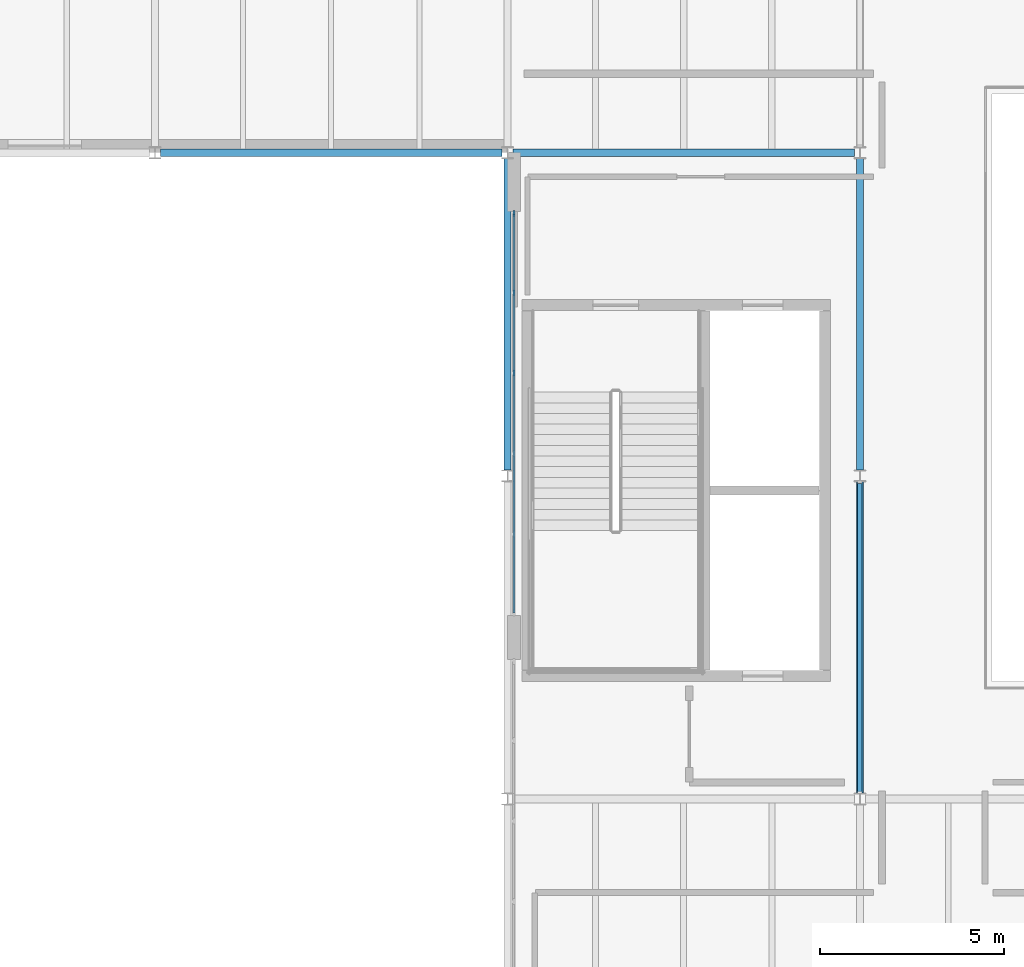
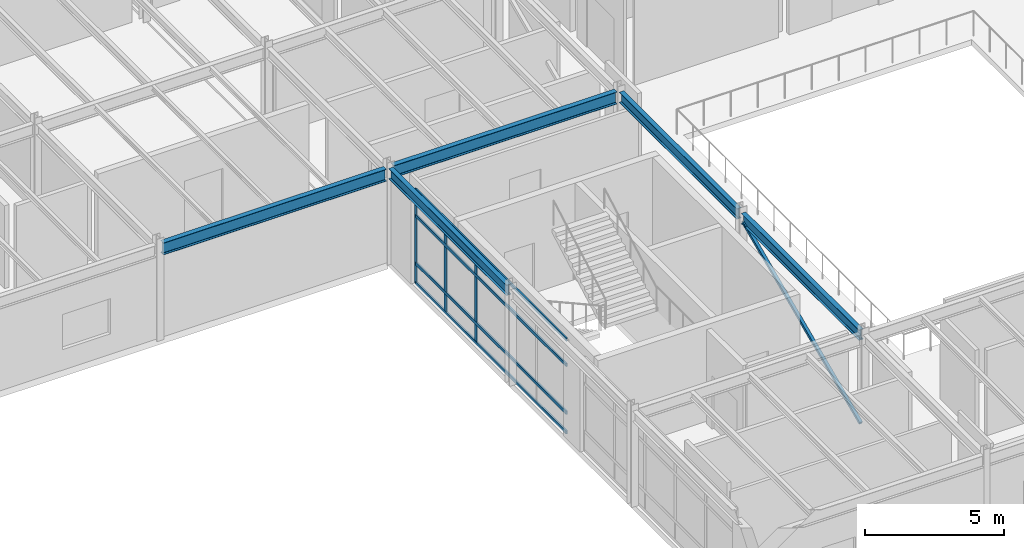
# One storey, part 21 of 69: 8 members, 5 beams, 1 element without a shape of its own.
"""IFC4 building model written with IfcOpenShell, lengths in metres."""

import ifcopenshell
import ifcopenshell.guid

model = None  # the IFC model being written
_history = None  # IfcOwnerHistory: only IFC2X3 demands one
_inside = {}  # id of a spatial element -> (the spatial element, [elements in it])
_under = {}  # id of a project, library or spatial element -> (it, [spatial elements below it])
_declared = {}  # id of a project -> (the project, [libraries it declares])
_typed = {}  # id of a type object -> (the type object, [elements of that type])
_made_of = {}  # id of a material, layer set ... -> (it, [elements and type objects made of it])


def new_model(schema):
    """Start an empty IFC model of exactly this schema.

    Asked for "IFC4X3", IfcOpenShell would pick the latest addendum, in which some entities
    have other attributes; the version numbers below select the first issue.
    IFC2X3 requires an IfcOwnerHistory on every rooted entity: one is made here for all.
    """
    global model, _history
    if schema == "IFC4X3":
        model = ifcopenshell.file(schema_version=(4, 3, 0, 0))
    else:
        model = ifcopenshell.file(schema=schema)
    _inside.clear()
    _under.clear()
    _declared.clear()
    _typed.clear()
    _made_of.clear()
    _history = None
    if model.schema == "IFC2X3":
        org = make("IfcOrganization", Name="unknown")
        user = make(
            "IfcPersonAndOrganization",
            ThePerson=make("IfcPerson", FamilyName="unknown"),
            TheOrganization=org,
        )
        app = make(
            "IfcApplication",
            ApplicationDeveloper=org,
            Version="unknown",
            ApplicationFullName="unknown",
            ApplicationIdentifier="unknown",
        )
        _history = make(
            "IfcOwnerHistory",
            OwningUser=user,
            OwningApplication=app,
            ChangeAction="ADDED",
            CreationDate=0,
        )
    return model


def make(cls, **values):
    """One entity of the class cls with the attributes given. An attribute that is None is left unset."""
    return model.create_entity(
        cls, **{name: value for name, value in values.items() if value is not None}
    )


def rooted(cls, **values):
    """An entity with a GlobalId (a new one), such as an element, a storey or a relation."""
    return make(cls, GlobalId=ifcopenshell.guid.new(), OwnerHistory=_history, **values)


def si_unit(unit_type, name, prefix=None):
    """IfcSIUnit, for example si_unit("LENGTHUNIT", "METRE", prefix="MILLI")."""
    return make("IfcSIUnit", UnitType=unit_type, Prefix=prefix, Name=name)


def assignment(units):
    """IfcUnitAssignment: the units of a project."""
    return None if units is None else make("IfcUnitAssignment", Units=units)


def point(xyz):
    """IfcCartesianPoint."""
    return None if xyz is None else make("IfcCartesianPoint", Coordinates=xyz)


def direction(xyz):
    """IfcDirection."""
    return None if xyz is None else make("IfcDirection", DirectionRatios=xyz)


def frame(location, z_axis=None, x_axis=None):
    """IfcAxis2Placement3D, a coordinate frame: its origin and axes. An axis left out is left unset."""
    return make(
        "IfcAxis2Placement3D",
        Location=point(location),
        Axis=direction(z_axis),
        RefDirection=direction(x_axis),
    )


def frame_2d(location, x_axis=None):
    """IfcAxis2Placement2D, a coordinate frame in the plane: its origin and x axis."""
    return make(
        "IfcAxis2Placement2D", Location=point(location), RefDirection=direction(x_axis)
    )


def origin():
    """The frame at (0, 0, 0) with its axes left unset."""
    return frame((0.0, 0.0, 0.0))


def origin_2d():
    """The frame at (0, 0) in the plane with its x axis left unset."""
    return frame_2d((0.0, 0.0))


def place(relative_to, where):
    """IfcLocalPlacement: puts the frame where relative to a parent placement (None: the world)."""
    return make(
        "IfcLocalPlacement", PlacementRelTo=relative_to, RelativePlacement=where
    )


def context(
    kind, dimensions, precision=None, world=None, true_north=None, identifier=None
):
    """IfcGeometricRepresentationContext, for example the 3D "Model" context."""
    return make(
        "IfcGeometricRepresentationContext",
        ContextIdentifier=identifier,
        ContextType=kind,
        CoordinateSpaceDimension=dimensions,
        Precision=precision,
        WorldCoordinateSystem=world,
        TrueNorth=true_north,
    )


def subcontext(parent, identifier, kind, view, scale=None):
    """IfcGeometricRepresentationSubContext, for example "Body" below "Model"."""
    return make(
        "IfcGeometricRepresentationSubContext",
        ContextIdentifier=identifier,
        ContextType=kind,
        ParentContext=parent,
        TargetScale=scale,
        TargetView=view,
    )


def project(units=None, contexts=None):
    """IfcProject with its units and contexts."""
    return rooted(
        "IfcProject",
        Name="project",
        RepresentationContexts=contexts,
        UnitsInContext=assignment(units),
    )


def spatial(cls, under=None, at=None, **own):
    """A site, building, storey or space (cls), placed at a placement, below another one or the project."""
    s = rooted(cls, ObjectPlacement=at, **own)
    if under is not None:
        _under.setdefault(under.id(), (under, []))[1].append(s)
    return s


def profile(cls, at=None, kind="AREA", **sizes):
    """A parametric profile (cls). Its sizes go by their IFC names, for example OverallWidth=200.0."""
    return make(cls, ProfileType=kind, Position=at, **sizes)


def rectangle(**sizes):
    """IfcRectangleProfileDef."""
    return profile("IfcRectangleProfileDef", **sizes)


def hollow_rectangle(**sizes):
    """IfcRectangleHollowProfileDef."""
    return profile("IfcRectangleHollowProfileDef", **sizes)


def i_section(**sizes):
    """IfcIShapeProfileDef."""
    return profile("IfcIShapeProfileDef", **sizes)


def extrude(swept, where, along, depth):
    """IfcExtrudedAreaSolid: the profile swept, set in the frame where, extruded along a direction by depth."""
    return make(
        "IfcExtrudedAreaSolid",
        SweptArea=swept,
        Position=where,
        ExtrudedDirection=direction(along),
        Depth=depth,
    )


def shape(context_of_items, identifier, shape_type, items):
    """IfcShapeRepresentation: the items that make up one representation, for example the "Body"."""
    return make(
        "IfcShapeRepresentation",
        ContextOfItems=context_of_items,
        RepresentationIdentifier=identifier,
        RepresentationType=shape_type,
        Items=items,
    )


def material(Name=None, Category=None):
    """IfcMaterial."""
    return make("IfcMaterial", Name=Name, Category=Category)


def material_profile(
    of_material, cross_section, Name=None, Category=None, Priority=None
):
    """IfcMaterialProfile: a cross section and its material."""
    return make(
        "IfcMaterialProfile",
        Name=Name,
        Material=of_material,
        Profile=cross_section,
        Priority=Priority,
        Category=Category,
    )


def profile_set(profiles, Name=None, composite=None):
    """IfcMaterialProfileSet."""
    return make(
        "IfcMaterialProfileSet",
        Name=Name,
        MaterialProfiles=profiles,
        CompositeProfile=composite,
    )


def made_of(thing, what):
    """Note that an element or type object is made of a material, layer set ...; save() writes the relation."""
    if what is not None:
        _made_of.setdefault(what.id(), (what, []))[1].append(thing)
    return thing


def type_object(cls, material=None, **own):
    """A type object (cls), such as IfcWallType, which elements share."""
    return made_of(rooted(cls, **own), material)


def element(
    cls,
    number,
    at=None,
    inside=None,
    cuts=None,
    type_object=None,
    material=None,
    context=None,
    identifier="Body",
    shape_type=None,
    held_by="IfcProductDefinitionShape",
    body=None,
    shapes=None,
    **own,
):
    """One element of the class cls, such as IfcWall. Its Tag is "e" and its number.

    at: its placement. inside: the storey or other place that contains it. cuts: it is an
    opening in that element (IfcRelVoidsElement). A single representation is given by context,
    identifier, shape_type and body (its items); several are given by shapes. held_by: the class
    of the entity that holds the representations. save() writes the other relations.
    """
    e = rooted(cls, Tag="e%d" % number, ObjectPlacement=at, **own)
    if body is not None:
        shapes = [shape(context, identifier, shape_type, body)]
    if shapes is not None:
        e.Representation = make(held_by, Representations=shapes)
    if inside is not None:
        _inside.setdefault(inside.id(), (inside, []))[1].append(e)
    if cuts is not None:
        rooted(
            "IfcRelVoidsElement", RelatingBuildingElement=cuts, RelatedOpeningElement=e
        )
    if type_object is not None:
        _typed.setdefault(type_object.id(), (type_object, []))[1].append(e)
    return made_of(e, material)


def aggregate(whole, parts):
    """IfcRelAggregates: a whole, such as a stair, and the parts it consists of."""
    return rooted("IfcRelAggregates", RelatingObject=whole, RelatedObjects=parts)


def save(model, path):
    """Write the relations noted so far, then the file.

    IfcRelAggregates (storeys below a building ...), IfcRelContainedInSpatialStructure (elements
    in a storey), IfcRelDefinesByType, IfcRelAssociatesMaterial and IfcRelDeclares: one each for
    every whole, place, type object, material and project.
    """
    for whole, parts in _under.values():
        aggregate(whole, parts)
    for where, things in _inside.values():
        rooted(
            "IfcRelContainedInSpatialStructure",
            RelatedElements=things,
            RelatingStructure=where,
        )
    for kind, things in _typed.values():
        rooted("IfcRelDefinesByType", RelatedObjects=things, RelatingType=kind)
    for what, things in _made_of.values():
        rooted("IfcRelAssociatesMaterial", RelatedObjects=things, RelatingMaterial=what)
    for by, libraries in _declared.values():
        rooted("IfcRelDeclares", RelatingContext=by, RelatedDefinitions=libraries)
    model.write(path)


model = new_model("IFC4")

# Units and contexts
model_context = context("Model", 3, precision=1e-05, world=origin(), true_north=direction((0.0, 1.0)))
body_context = subcontext(model_context, "Body", "Model", "MODEL_VIEW")
ifc_project = project(units=[si_unit("LENGTHUNIT", "METRE"), si_unit("AREAUNIT", "SQUARE_METRE"), si_unit("VOLUMEUNIT", "CUBIC_METRE"), si_unit("PLANEANGLEUNIT", "RADIAN"), si_unit("MASSUNIT", "GRAM", prefix="KILO")], contexts=[model_context])

# Site, building, storey
site_placement = place(None, origin())
site = spatial("IfcSite", under=ifc_project, at=site_placement, CompositionType="ELEMENT")
building_placement = place(site_placement, origin())
building = spatial("IfcBuilding", under=site, at=building_placement, Name="Sarnbrook Museum", CompositionType="ELEMENT")
storey_placement = place(building_placement, frame((0.0, 0.0, 14.60009765625)))
storey = spatial("IfcBuildingStorey", under=building, at=storey_placement, Name="L03", CompositionType="ELEMENT", Elevation=14.60009765625)

# Beams
ifc_material_1 = material(Name="Structural Steel Grade 300PLUS (AS/NZS 3679.1, fy = 280 MPa for 17 < t <= 40 mm, 300 MPa for t <= 17 mm)", Category="steel")
ifc_material_profile_1 = material_profile(ifc_material_1, i_section(OverallWidth=0.18994140625, OverallDepth=0.45703125, WebThickness=0.009033203125, FlangeThickness=0.014404296875, FilletRadius=0.011474609375, at=origin_2d()), Name="460UB74.6")
ifc_profile_set_1 = profile_set([ifc_material_profile_1], Name="Structural Steel Grade 300PLUS (AS/NZS 3679.1, fy = 280 MPa for 17 < t <= 40 mm, 300 MPa for t <= 17 mm)")
beam_type_1 = type_object("IfcBeamType", Name="BM-UB460", PredefinedType="BEAM", material=ifc_profile_set_1)
for number, where, z_axis, x_axis, name in (
    (1, (80.800048828125, 65.757568359375, 4.021484375), (0.0, 1.0, 0.0), (-1.0, 0.0, 0.0), "Girder 9:H-J L03"),
    (2, (90.39990234375, 56.95751953125, 4.021484375), (0.0, 1.0, 0.0), (-1.0, 0.0, 0.0), "Girder 10:G-H L03"),
    (3, (90.39990234375, 65.757568359375, 4.021484375), (0.0, 1.0, 0.0), (-1.0, 0.0, 0.0), "Girder 10:H-J L03"),
):
    element("IfcBeam", number, at=place(storey_placement, frame(where, z_axis=z_axis, x_axis=x_axis)), inside=storey, type_object=beam_type_1, Name=name, PredefinedType="BEAM", context=body_context, shape_type="SweptSolid", body=[
        extrude(i_section(OverallWidth=0.18994140625, OverallDepth=0.45703125, WebThickness=0.009033203125, FlangeThickness=0.014404296875, FilletRadius=0.011474609375, at=origin_2d()), origin(), (0.0, 0.0, 1.0), 8.48486328125),
    ])
ifc_material_profile_2 = material_profile(ifc_material_1, i_section(OverallWidth=0.208984375, OverallDepth=0.532958984375, WebThickness=0.01025390625, FlangeThickness=0.015625, FilletRadius=0.013916015625, at=origin_2d()), Name="530UB92.4")
ifc_profile_set_2 = profile_set([ifc_material_profile_2], Name="Structural Steel Grade 300PLUS (AS/NZS 3679.1, fy = 280 MPa for 17 < t <= 40 mm, 300 MPa for t <= 17 mm)")
beam_type_2 = type_object("IfcBeamType", Name="BM-UB530", PredefinedType="BEAM", material=ifc_profile_set_2)
for number, where, z_axis, x_axis, name in (
    (4, (71.353515625, 74.39990234375, 3.943359375), (1.0, 0.0, 0.0), (0.0, 1.0, 0.0), "Girder J:8-9 L03"),
    (5, (80.95361328125, 74.39990234375, 3.9833984375), (1.0, 0.0, 0.0), (0.0, 1.0, 0.0), "Girder J:9-10 L03"),
):
    element("IfcBeam", number, at=place(storey_placement, frame(where, z_axis=z_axis, x_axis=x_axis)), inside=storey, type_object=beam_type_2, Name=name, PredefinedType="BEAM", context=body_context, shape_type="SweptSolid", body=[
        extrude(i_section(OverallWidth=0.208984375, OverallDepth=0.532958984375, WebThickness=0.01025390625, FlangeThickness=0.015625, FilletRadius=0.013916015625, at=origin_2d()), origin(), (0.0, 0.0, 1.0), 9.29296875),
    ])

# Curtain wall, members
ifc_material_2 = material(Name="Thermally Broken Anodised Aluminium 6063-T6", Category="aluminium")
curtain_wall_type = type_object("IfcCurtainWallType", Name="CurtainWall_GalleryRibbon", PredefinedType="NOTDEFINED", material=ifc_material_2)
curtain_wall_placement = place(storey_placement, origin())
curtain_wall = element("IfcCurtainWall", 6, at=curtain_wall_placement, inside=storey, type_object=curtain_wall_type, Name="Gallery Ribbon Curtain Wall L03-2.1", PredefinedType="NOTDEFINED")
ifc_material_profile_3 = material_profile(ifc_material_2, rectangle(XDim=0.06005859375, YDim=0.159912109375, at=origin_2d()), Name="ALU MULLION 60x160")
ifc_profile_set_3 = profile_set([ifc_material_profile_3], Name="Thermally Broken Anodised Aluminium 6063-T6")
member_type_1 = type_object("IfcMemberType", Name="CW_Mullion_150x65", PredefinedType="MULLION", material=ifc_profile_set_3)
member_1_placement = place(storey_placement, frame((80.97998046875, 72.739990234375, 0.0), z_axis=(0.0, 0.0, 1.0), x_axis=(1.0, 0.0, 0.0)))
member_1 = element("IfcMember", 7, at=member_1_placement, type_object=member_type_1, Name="Gallery Ribbon Curtain Wall L03-2.1 Mullion 1", PredefinedType="MULLION", context=body_context, shape_type="SweptSolid", body=[
    extrude(rectangle(XDim=0.06005859375, YDim=0.159912109375, at=origin_2d()), origin(), (0.0, 0.0, 1.0), 4.159912109375),
])
member_2_placement = place(storey_placement, frame((80.97998046875, 70.587890625, 0.0), z_axis=(0.0, 0.0, 1.0), x_axis=(1.0, 0.0, 0.0)))
member_2 = element("IfcMember", 8, at=member_2_placement, type_object=member_type_1, Name="Gallery Ribbon Curtain Wall L03-2.1 Mullion 2", PredefinedType="MULLION", context=body_context, shape_type="SweptSolid", body=[
    extrude(rectangle(XDim=0.06005859375, YDim=0.159912109375, at=origin_2d()), origin(), (0.0, 0.0, 1.0), 4.159912109375),
])
member_3_placement = place(storey_placement, frame((80.97998046875, 68.39599609375, 0.0), z_axis=(0.0, 0.0, 1.0), x_axis=(1.0, 0.0, 0.0)))
member_3 = element("IfcMember", 9, at=member_3_placement, type_object=member_type_1, Name="Gallery Ribbon Curtain Wall L03-2.1 Mullion 3", PredefinedType="MULLION", context=body_context, shape_type="SweptSolid", body=[
    extrude(rectangle(XDim=0.06005859375, YDim=0.159912109375, at=origin_2d()), origin(), (0.0, 0.0, 1.0), 4.159912109375),
])
ifc_material_profile_4 = material_profile(ifc_material_2, rectangle(XDim=0.06494140625, YDim=0.139892578125, at=origin_2d()), Name="ALU TRANSOM 65x140")
ifc_profile_set_4 = profile_set([ifc_material_profile_4], Name="Thermally Broken Anodised Aluminium 6063-T6")
member_type_2 = type_object("IfcMemberType", Name="CW_Transom_150x65", PredefinedType="USERDEFINED", material=ifc_profile_set_4)
member_4_placement = place(storey_placement, frame((80.97998046875, 72.72998046875, 0.039794921875), z_axis=(0.0, -1.0, 0.0), x_axis=(1.0, 0.0, 0.0)))
member_4 = element("IfcMember", 10, at=member_4_placement, type_object=member_type_2, Name="Gallery Ribbon Curtain Wall L03-2.1 Transom 1", ObjectType="TRANSOM", PredefinedType="USERDEFINED", context=body_context, shape_type="SweptSolid", body=[
    extrude(rectangle(XDim=0.06494140625, YDim=0.139892578125, at=origin_2d()), origin(), (0.0, 0.0, 1.0), 10.85986328125),
])
member_5_placement = place(storey_placement, frame((80.97998046875, 72.72998046875, 0.89990234375), z_axis=(0.0, -1.0, 0.0), x_axis=(1.0, 0.0, 0.0)))
member_5 = element("IfcMember", 11, at=member_5_placement, type_object=member_type_2, Name="Gallery Ribbon Curtain Wall L03-2.1 Transom 2", ObjectType="TRANSOM", PredefinedType="USERDEFINED", context=body_context, shape_type="SweptSolid", body=[
    extrude(rectangle(XDim=0.06494140625, YDim=0.139892578125, at=origin_2d()), origin(), (0.0, 0.0, 1.0), 10.85986328125),
])
member_6_placement = place(storey_placement, frame((80.97998046875, 72.72998046875, 3.0), z_axis=(0.0, -1.0, 0.0), x_axis=(1.0, 0.0, 0.0)))
member_6 = element("IfcMember", 12, at=member_6_placement, type_object=member_type_2, Name="Gallery Ribbon Curtain Wall L03-2.1 Transom 3", ObjectType="TRANSOM", PredefinedType="USERDEFINED", context=body_context, shape_type="SweptSolid", body=[
    extrude(rectangle(XDim=0.06494140625, YDim=0.139892578125, at=origin_2d()), origin(), (0.0, 0.0, 1.0), 10.85986328125),
])
member_7_placement = place(storey_placement, frame((80.97998046875, 72.72998046875, 4.119873046875), z_axis=(0.0, -1.0, 0.0), x_axis=(1.0, 0.0, 0.0)))
member_7 = element("IfcMember", 13, at=member_7_placement, type_object=member_type_2, Name="Gallery Ribbon Curtain Wall L03-2.1 Transom 4", ObjectType="TRANSOM", PredefinedType="USERDEFINED", context=body_context, shape_type="SweptSolid", body=[
    extrude(rectangle(XDim=0.06494140625, YDim=0.139892578125, at=origin_2d()), origin(), (0.0, 0.0, 1.0), 10.85986328125),
])
aggregate(curtain_wall, [member_1, member_2, member_3, member_4, member_5, member_6, member_7])

# Member
ifc_material_3 = material(Name="Structural Steel Hollow Section Grade C350L0 (AS/NZS 1163, fy = 350 MPa)", Category="steel")
ifc_material_profile_5 = material_profile(ifc_material_3, hollow_rectangle(XDim=0.125, YDim=0.125, WallThickness=0.008056640625, at=origin_2d()), Name="125x125x8.0SHS")
ifc_profile_set_5 = profile_set([ifc_material_profile_5], Name="Structural Steel Hollow Section Grade C350L0 (AS/NZS 1163, fy = 350 MPa)")
member_type_3 = type_object("IfcMemberType", Name="MB-SHS125", PredefinedType="BRACE", material=ifc_profile_set_5)
member_8_placement = place(storey_placement, frame((90.39990234375, 56.97998046875, 0.119873046875), z_axis=(0.0, 0.914658395799, 0.404227682124), x_axis=(-1.0, 0.0, 0.0)))
element("IfcMember", 14, at=member_8_placement, inside=storey, type_object=member_type_3, Name="Lateral Diagonal Brace CBF-1 L03", PredefinedType="BRACE", context=body_context, shape_type="SweptSolid", body=[
    extrude(hollow_rectangle(XDim=0.125, YDim=0.125, WallThickness=0.008056640625, at=origin_2d()), origin(), (0.0, 0.0, 1.0), 9.2275390625),
])

save(model, "model.ifc")
